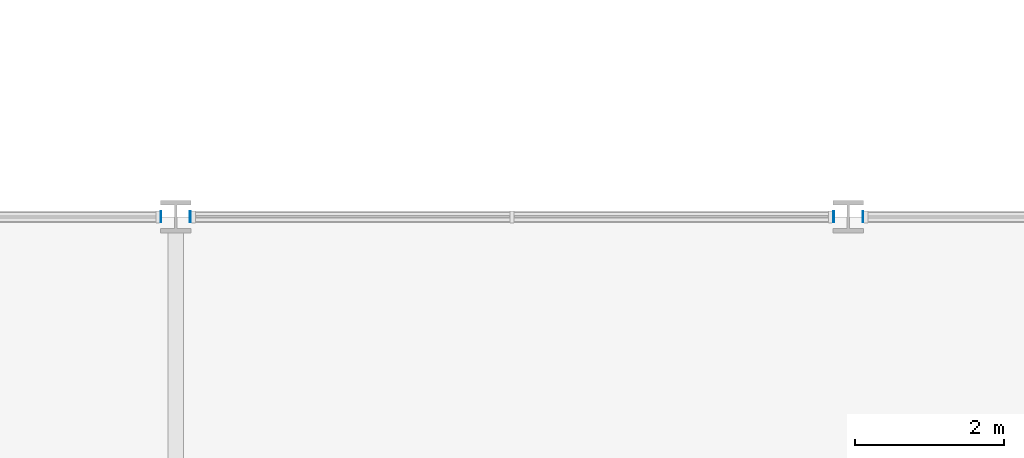
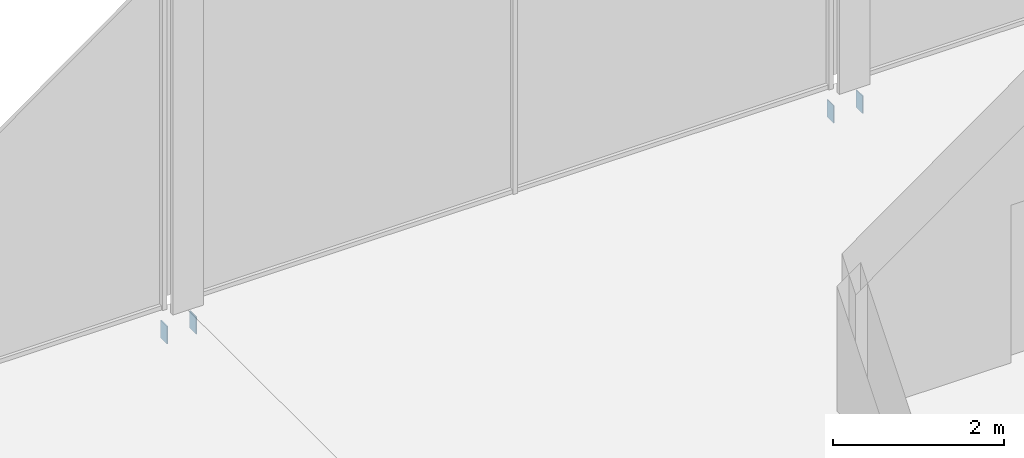
# One storey, part 73 of 111: 4 discrete accessories.
"""IFC4 building model written with IfcOpenShell, lengths in metres."""

from ifc_helpers import new_model, si_unit, direction, frame, origin, place, context, subcontext, project, spatial, polyline, outline, extrude, material, layer, layer_set, type_object, element, save


model = new_model("IFC4")

# Units and contexts
model_context = context("Model", 3, precision=1e-05, world=origin(), true_north=direction((0.0, 1.0)))
body_context = subcontext(model_context, "Body", "Model", "MODEL_VIEW")
ifc_project = project(units=[si_unit("LENGTHUNIT", "METRE"), si_unit("AREAUNIT", "SQUARE_METRE"), si_unit("VOLUMEUNIT", "CUBIC_METRE"), si_unit("PLANEANGLEUNIT", "RADIAN"), si_unit("MASSUNIT", "GRAM", prefix="KILO")], contexts=[model_context])

# Site, building, storey
site_placement = place(None, origin())
site = spatial("IfcSite", under=ifc_project, at=site_placement, CompositionType="ELEMENT")
building_placement = place(site_placement, origin())
building = spatial("IfcBuilding", under=site, at=building_placement, Name="Kisiwana Market Hall", CompositionType="ELEMENT")
storey_placement = place(building_placement, frame((0.0, 0.0, 11.39990234375)))
storey = spatial("IfcBuildingStorey", under=building, at=storey_placement, Name="L02", CompositionType="ELEMENT", Elevation=11.39990234375)

# Discrete accessories
ifc_material = material(Name="Steel S355", Category="steel")
ifc_layer = layer(ifc_material, 0.011962890625)
ifc_layer_set = layer_set([ifc_layer], Name="ACC-ENDCAP-STL")
discrete_accessory_type = type_object("IfcDiscreteAccessoryType", Name="ACC-ENDCAP-STL", PredefinedType="USERDEFINED", material=ifc_layer_set)
discrete_accessory_1_placement = place(storey_placement, frame((0.0, 0.0, -0.5)))
element("IfcDiscreteAccessory", 1, at=discrete_accessory_1_placement, inside=storey, type_object=discrete_accessory_type, Name="End cap plate EC-0017", ObjectType="End cap plate", PredefinedType="USERDEFINED", context=body_context, shape_type="SweptSolid", body=[
    extrude(outline(polyline([(98.798095703125, 35.925048828125), (98.81005859375, 35.925048828125), (98.81005859375, 36.074951171875), (98.798095703125, 36.074951171875), (98.798095703125, 35.925048828125)])), origin(), (0.0, 0.0, 1.0), 0.25),
])
discrete_accessory_2_placement = place(storey_placement, frame((0.0, 0.0, -0.5)))
element("IfcDiscreteAccessory", 2, at=discrete_accessory_2_placement, inside=storey, type_object=discrete_accessory_type, Name="End cap plate EC-0019", ObjectType="End cap plate", PredefinedType="USERDEFINED", context=body_context, shape_type="SweptSolid", body=[
    extrude(outline(polyline([(107.798095703125, 35.925048828125), (107.81005859375, 35.925048828125), (107.81005859375, 36.074951171875), (107.798095703125, 36.074951171875), (107.798095703125, 35.925048828125)])), origin(), (0.0, 0.0, 1.0), 0.25),
])
discrete_accessory_3_placement = place(storey_placement, frame((0.0, 0.0, -0.5)))
element("IfcDiscreteAccessory", 3, at=discrete_accessory_3_placement, inside=storey, type_object=discrete_accessory_type, Name="End cap plate EC-0020", ObjectType="End cap plate", PredefinedType="USERDEFINED", context=body_context, shape_type="SweptSolid", body=[
    extrude(outline(polyline([(99.201904296875, 35.925048828125), (99.201904296875, 36.074951171875), (99.18994140625, 36.074951171875), (99.18994140625, 35.925048828125), (99.201904296875, 35.925048828125)])), origin(), (0.0, 0.0, 1.0), 0.25),
])
discrete_accessory_4_placement = place(storey_placement, frame((0.0, 0.0, -0.5)))
element("IfcDiscreteAccessory", 4, at=discrete_accessory_4_placement, inside=storey, type_object=discrete_accessory_type, Name="End cap plate EC-0022", ObjectType="End cap plate", PredefinedType="USERDEFINED", context=body_context, shape_type="SweptSolid", body=[
    extrude(outline(polyline([(108.201904296875, 35.925048828125), (108.201904296875, 36.074951171875), (108.18994140625, 36.074951171875), (108.18994140625, 35.925048828125), (108.201904296875, 35.925048828125)])), origin(), (0.0, 0.0, 1.0), 0.25),
])

save(model, "model.ifc")
